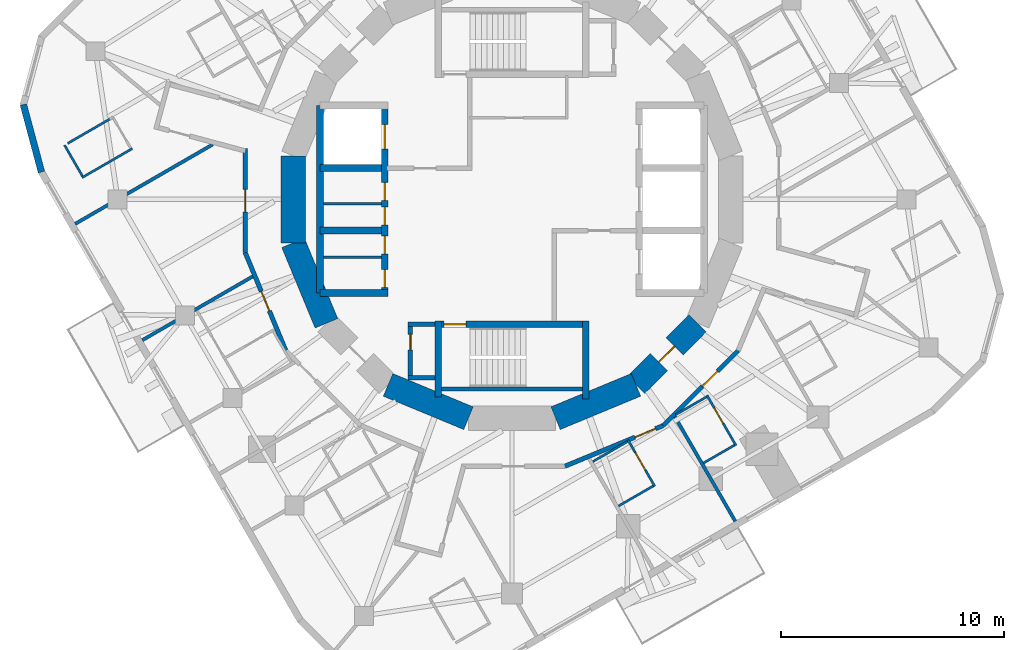
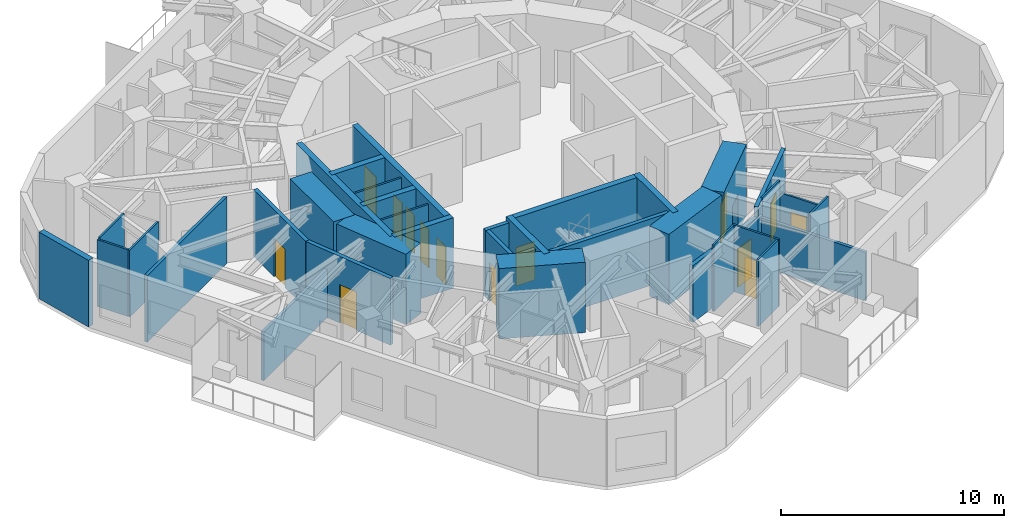
# One storey, part 5 of 11: 36 walls, 14 doors, 14 openings.
"""IFC4 building model written with IfcOpenShell, lengths in metres."""

from ifc_helpers import new_model, si_unit, direction, frame, frame_2d, origin, place, context, subcontext, project, spatial, rectangle, extrude, material, layer, layer_set, type_object, element, fill, save


model = new_model("IFC4")

# Units and contexts
model_context = context("Model", 3, precision=1e-05, world=origin(), true_north=direction((0.0, 1.0)))
body_context = subcontext(model_context, "Body", "Model", "MODEL_VIEW")
ifc_project = project(units=[si_unit("LENGTHUNIT", "METRE"), si_unit("AREAUNIT", "SQUARE_METRE"), si_unit("VOLUMEUNIT", "CUBIC_METRE"), si_unit("PLANEANGLEUNIT", "RADIAN"), si_unit("MASSUNIT", "GRAM", prefix="KILO")], contexts=[model_context])

# Site, building, storey
site_placement = place(None, origin())
site = spatial("IfcSite", under=ifc_project, at=site_placement, CompositionType="ELEMENT")
building_placement = place(site_placement, origin())
building = spatial("IfcBuilding", under=site, at=building_placement, Name="Nakasero Lantern House", CompositionType="ELEMENT")
storey_placement = place(building_placement, frame((0.0, 0.0, 246.199951171875)))
storey = spatial("IfcBuildingStorey", under=building, at=storey_placement, Name="L60", CompositionType="ELEMENT", Elevation=246.199951171875)

# Wall, openings, doors
ifc_material_1 = material(Name="Concrete C50/60", Category="concrete")
ifc_layer_1 = layer(ifc_material_1, 0.300048828125)
ifc_layer_set_1 = layer_set([ifc_layer_1], Name="Core inner wall 300")
wall_type_1 = type_object("IfcWallType", Name="Core inner wall 300", PredefinedType="SHEAR", material=ifc_layer_set_1)
wall_1_placement = place(storey_placement, frame((-5.699951171875, -4.199951171875, 0.0), z_axis=(0.0, 0.0, 1.0), x_axis=(0.0, 1.0, 0.0)))
wall_1 = element("IfcWall", 1, at=wall_1_placement, inside=storey, type_object=wall_type_1, Name="Core inner wall L60 LW", PredefinedType="SHEAR", context=body_context, shape_type="SweptSolid", body=[
    extrude(rectangle(XDim=8.39990234375, YDim=0.300048828125, at=frame_2d((4.199951171875, 0.0))), origin(), (0.0, 0.0, 1.0), 3.85009765625),
])
opening_1_placement = place(wall_1_placement, frame((0.25, 0.0, 0.0)))
opening_1 = element("IfcOpeningElement", 2, at=opening_1_placement, cuts=wall_1, Name="Opening D19", PredefinedType="OPENING", context=body_context, shape_type="SweptSolid", body=[
    extrude(rectangle(XDim=0.800048828125, YDim=2.10009765625, at=frame_2d((0.39990234375, 1.050048828125))), frame((0.0, 0.169921875, 0.0), z_axis=(0.0, -1.0, 0.0), x_axis=(1.0, 0.0, 0.0)), (0.0, 0.0, 1.0), 0.340087890625),
])
opening_2_placement = place(wall_1_placement, frame((1.75, 0.0, 0.0)))
opening_2 = element("IfcOpeningElement", 3, at=opening_2_placement, cuts=wall_1, Name="Opening D15", PredefinedType="OPENING", context=body_context, shape_type="SweptSolid", body=[
    extrude(rectangle(XDim=0.800048828125, YDim=2.10009765625, at=frame_2d((0.39990234375, 1.050048828125))), frame((0.0, 0.169921875, 0.0), z_axis=(0.0, -1.0, 0.0), x_axis=(1.0, 0.0, 0.0)), (0.0, 0.0, 1.0), 0.340087890625),
])
opening_3_placement = place(wall_1_placement, frame((3.050048828125, 0.0, 0.0)))
opening_3 = element("IfcOpeningElement", 4, at=opening_3_placement, cuts=wall_1, Name="Opening D15", PredefinedType="OPENING", context=body_context, shape_type="SweptSolid", body=[
    extrude(rectangle(XDim=0.800048828125, YDim=2.10009765625, at=frame_2d((0.39990234375, 1.050048828125))), frame((0.0, 0.169921875, 0.0), z_axis=(0.0, -1.0, 0.0), x_axis=(1.0, 0.0, 0.0)), (0.0, 0.0, 1.0), 0.340087890625),
])
opening_4_placement = place(wall_1_placement, frame((4.14990234375, 0.0, 0.0)))
opening_4 = element("IfcOpeningElement", 5, at=opening_4_placement, cuts=wall_1, Name="Opening D15", PredefinedType="OPENING", context=body_context, shape_type="SweptSolid", body=[
    extrude(rectangle(XDim=0.800048828125, YDim=2.10009765625, at=frame_2d((0.39990234375, 1.050048828125))), frame((0.0, 0.169921875, 0.0), z_axis=(0.0, -1.0, 0.0), x_axis=(1.0, 0.0, 0.0)), (0.0, 0.0, 1.0), 0.340087890625),
])
opening_5_placement = place(wall_1_placement, frame((6.449951171875, 0.0, 0.0)))
opening_5 = element("IfcOpeningElement", 6, at=opening_5_placement, cuts=wall_1, Name="Opening LD", PredefinedType="OPENING", context=body_context, shape_type="SweptSolid", body=[
    extrude(rectangle(XDim=1.10009765625, YDim=2.10009765625, at=frame_2d((0.550048828125, 1.050048828125))), frame((0.0, 0.169921875, 0.0), z_axis=(0.0, -1.0, 0.0), x_axis=(1.0, 0.0, 0.0)), (0.0, 0.0, 1.0), 0.340087890625),
])
ifc_material_2 = material(Name="Timber C24", Category="wood")
door_type_1 = type_object("IfcDoorType", Name="Cleaner's store door FD30S 800", OperationType="SINGLE_SWING_LEFT", PredefinedType="DOOR", material=ifc_material_2)
door_1_placement = place(opening_2_placement, origin())
door_1 = element("IfcDoor", 7, at=door_1_placement, inside=storey, type_object=door_type_1, Name="Door L60 D-SH-LW1b", OperationType="SINGLE_SWING_LEFT", OverallHeight=2.10009765625, OverallWidth=0.800048828125, PredefinedType="DOOR", context=body_context, shape_type="SweptSolid", body=[
    extrude(rectangle(XDim=0.800048828125, YDim=2.10009765625, at=frame_2d((0.39990234375, 1.050048828125))), frame((0.0, 0.02490234375, 0.0), z_axis=(0.0, -1.0, 0.0), x_axis=(1.0, 0.0, 0.0)), (0.0, 0.0, 1.0), 0.050048828125),
])
fill(opening_2, door_1)
door_2_placement = place(opening_3_placement, origin())
door_2 = element("IfcDoor", 8, at=door_2_placement, inside=storey, type_object=door_type_1, Name="Door L60 D-SH-LW2a", OperationType="SINGLE_SWING_LEFT", OverallHeight=2.10009765625, OverallWidth=0.800048828125, PredefinedType="DOOR", context=body_context, shape_type="SweptSolid", body=[
    extrude(rectangle(XDim=0.800048828125, YDim=2.10009765625, at=frame_2d((0.39990234375, 1.050048828125))), frame((0.0, 0.02490234375, 0.0), z_axis=(0.0, -1.0, 0.0), x_axis=(1.0, 0.0, 0.0)), (0.0, 0.0, 1.0), 0.050048828125),
])
fill(opening_3, door_2)
door_3_placement = place(opening_4_placement, origin())
door_3 = element("IfcDoor", 9, at=door_3_placement, inside=storey, type_object=door_type_1, Name="Door L60 D-SH-LW2b", OperationType="SINGLE_SWING_RIGHT", OverallHeight=2.10009765625, OverallWidth=0.800048828125, PredefinedType="DOOR", context=body_context, shape_type="SweptSolid", body=[
    extrude(rectangle(XDim=0.800048828125, YDim=2.10009765625, at=frame_2d((0.39990234375, 1.050048828125))), frame((0.0, 0.02490234375, 0.0), z_axis=(0.0, -1.0, 0.0), x_axis=(1.0, 0.0, 0.0)), (0.0, 0.0, 1.0), 0.050048828125),
])
fill(opening_4, door_3)
ifc_material_3 = material(Name="Steel S355", Category="steel")
door_type_2 = type_object("IfcDoorType", Name="Lift landing door E120 1100", OperationType="SLIDING_TO_LEFT", PredefinedType="DOOR", material=ifc_material_3)
door_4_placement = place(opening_5_placement, origin())
door_4 = element("IfcDoor", 10, at=door_4_placement, inside=storey, type_object=door_type_2, Name="Lift landing door LW3", OperationType="SLIDING_TO_LEFT", OverallHeight=2.10009765625, OverallWidth=1.10009765625, PredefinedType="DOOR", context=body_context, shape_type="SweptSolid", body=[
    extrude(rectangle(XDim=1.10009765625, YDim=2.10009765625, at=frame_2d((0.550048828125, 1.050048828125))), frame((0.0, 0.02490234375, 0.0), z_axis=(0.0, -1.0, 0.0), x_axis=(1.0, 0.0, 0.0)), (0.0, 0.0, 1.0), 0.050048828125),
])
fill(opening_5, door_4)
ifc_material_4 = material(Name="Steel S355", Category="steel")
door_type_3 = type_object("IfcDoorType", Name="Plant room door FD60 800", OperationType="SINGLE_SWING_LEFT", PredefinedType="DOOR", material=ifc_material_4)
door_5_placement = place(opening_1_placement, origin())
door_5 = element("IfcDoor", 11, at=door_5_placement, inside=storey, type_object=door_type_3, Name="Door L60 D-SH-LW1a", OperationType="SINGLE_SWING_LEFT", OverallHeight=2.10009765625, OverallWidth=0.800048828125, PredefinedType="DOOR", context=body_context, shape_type="SweptSolid", body=[
    extrude(rectangle(XDim=0.800048828125, YDim=2.10009765625, at=frame_2d((0.39990234375, 1.050048828125))), frame((0.0, 0.02490234375, 0.0), z_axis=(0.0, -1.0, 0.0), x_axis=(1.0, 0.0, 0.0)), (0.0, 0.0, 1.0), 0.050048828125),
])
fill(opening_1, door_5)

# Walls
wall_2_placement = place(storey_placement, frame((-8.60009765625, -4.199951171875, 0.0), z_axis=(0.0, 0.0, 1.0), x_axis=(1.0, 0.0, 0.0)))
element("IfcWall", 12, at=wall_2_placement, inside=storey, type_object=wall_type_1, Name="Core inner wall L60 LWS", PredefinedType="SHEAR", context=body_context, shape_type="SweptSolid", body=[
    extrude(rectangle(XDim=3.050048828125, YDim=0.300048828125, at=frame_2d((1.52490234375, 0.0))), origin(), (0.0, 0.0, 1.0), 3.85009765625),
])
wall_3_placement = place(storey_placement, frame((-8.60009765625, -4.199951171875, 0.0), z_axis=(0.0, 0.0, 1.0), x_axis=(0.0, 1.0, 0.0)))
element("IfcWall", 13, at=wall_3_placement, inside=storey, type_object=wall_type_1, Name="Core inner wall L60 LWB", PredefinedType="SHEAR", context=body_context, shape_type="SweptSolid", body=[
    extrude(rectangle(XDim=8.39990234375, YDim=0.300048828125, at=frame_2d((4.199951171875, 0.0))), origin(), (0.0, 0.0, 1.0), 3.85009765625),
])
for number, where, z_axis, x_axis, name in (
    (14, (-8.60009765625, -1.39990234375, 0.0), (0.0, 0.0, 1.0), (1.0, 0.0, 0.0), "Core inner wall L60 LW1"),
    (15, (-8.60009765625, 1.39990234375, 0.0), (0.0, 0.0, 1.0), (1.0, 0.0, 0.0), "Core inner wall L60 LW2"),
):
    element("IfcWall", number, at=place(storey_placement, frame(where, z_axis=z_axis, x_axis=x_axis)), inside=storey, type_object=wall_type_1, Name=name, PredefinedType="SHEAR", context=body_context, shape_type="SweptSolid", body=[
        extrude(rectangle(XDim=2.75, YDim=0.300048828125, at=frame_2d((1.375, 0.0))), origin(), (0.0, 0.0, 1.0), 3.85009765625),
    ])

# Wall, opening, door
wall_4_placement = place(storey_placement, frame((-3.449951171875, -5.60009765625, 0.0), z_axis=(0.0, 0.0, 1.0), x_axis=(1.0, 0.0, 0.0)))
wall_4 = element("IfcWall", 16, at=wall_4_placement, inside=storey, type_object=wall_type_1, Name="Core inner wall L60 SS", PredefinedType="SHEAR", context=body_context, shape_type="SweptSolid", body=[
    extrude(rectangle(XDim=6.89990234375, YDim=0.300048828125, at=frame_2d((3.449951171875, 0.0))), origin(), (0.0, 0.0, 1.0), 3.85009765625),
])
opening_6_placement = place(wall_4_placement, frame((0.39990234375, 0.0, 0.0)))
opening_6 = element("IfcOpeningElement", 17, at=opening_6_placement, cuts=wall_4, Name="Opening D05", PredefinedType="OPENING", context=body_context, shape_type="SweptSolid", body=[
    extrude(rectangle(XDim=1.0, YDim=2.10009765625, at=frame_2d((0.5, 1.050048828125))), frame((0.0, 0.169921875, 0.0), z_axis=(0.0, -1.0, 0.0), x_axis=(1.0, 0.0, 0.0)), (0.0, 0.0, 1.0), 0.340087890625),
])
ifc_material_5 = material(Name="Timber C24", Category="wood")
door_type_4 = type_object("IfcDoorType", Name="Core door FD60S 1000", OperationType="SINGLE_SWING_LEFT", PredefinedType="DOOR", material=ifc_material_5)
door_6_placement = place(opening_6_placement, origin())
door_6 = element("IfcDoor", 18, at=door_6_placement, inside=storey, type_object=door_type_4, Name="Door L60 D-ST2", OperationType="SINGLE_SWING_LEFT", OverallHeight=2.10009765625, OverallWidth=1.0, PredefinedType="DOOR", context=body_context, shape_type="SweptSolid", body=[
    extrude(rectangle(XDim=1.0, YDim=2.10009765625, at=frame_2d((0.5, 1.050048828125))), frame((0.0, 0.02490234375, 0.0), z_axis=(0.0, -1.0, 0.0), x_axis=(1.0, 0.0, 0.0)), (0.0, 0.0, 1.0), 0.050048828125),
])
fill(opening_6, door_6)

# Walls
wall_5_placement = place(storey_placement, frame((-3.300048828125, -5.449951171875, 0.0), z_axis=(0.0, 0.0, 1.0), x_axis=(0.0, -1.0, 0.0)))
element("IfcWall", 19, at=wall_5_placement, inside=storey, type_object=wall_type_1, Name="Core inner wall L60 SSW", PredefinedType="SHEAR", context=body_context, shape_type="SweptSolid", body=[
    extrude(rectangle(XDim=3.400146484375, YDim=0.300048828125, at=frame_2d((1.7001953125, 0.0))), origin(), (0.0, 0.0, 1.0), 3.85009765625),
])
wall_6_placement = place(storey_placement, frame((3.300048828125, -5.449951171875, 0.0), z_axis=(0.0, 0.0, 1.0), x_axis=(0.0, -1.0, 0.0)))
element("IfcWall", 20, at=wall_6_placement, inside=storey, type_object=wall_type_1, Name="Core inner wall L60 SSE", PredefinedType="SHEAR", context=body_context, shape_type="SweptSolid", body=[
    extrude(rectangle(XDim=3.5, YDim=0.300048828125, at=frame_2d((1.75, 0.0))), origin(), (0.0, 0.0, 1.0), 3.85009765625),
])
ifc_material_6 = material(Name="Blockwork", Category="masonry")
ifc_layer_2 = layer(ifc_material_6, 0.10009765625)
ifc_layer_set_2 = layer_set([ifc_layer_2], Name="Core room wall 100")
wall_type_2 = type_object("IfcWallType", Name="Core room wall 100", PredefinedType="PARTITIONING", material=ifc_layer_set_2)
for number, where, z_axis, x_axis, name in (
    (21, (-8.449951171875, -2.60009765625, 0.0), (0.0, 0.0, 1.0), (1.0, 0.0, 0.0), "Core room wall L60 CR-SH-LW1b"),
    (22, (-8.449951171875, -0.199951171875, 0.0), (0.0, 0.0, 1.0), (1.0, 0.0, 0.0), "Core room wall L60 CR-SH-LW2b"),
):
    element("IfcWall", number, at=place(storey_placement, frame(where, z_axis=z_axis, x_axis=x_axis)), inside=storey, type_object=wall_type_2, Name=name, PredefinedType="PARTITIONING", context=body_context, shape_type="SweptSolid", body=[
        extrude(rectangle(XDim=2.599853515625, YDim=0.10009765625, at=frame_2d((1.2998046875, 0.0))), origin(), (0.0, 0.0, 1.0), 3.650146484375),
    ])
ifc_material_7 = material(Name="Concrete C50/60", Category="concrete")
ifc_layer_3 = layer(ifc_material_7, 1.10009765625)
ifc_layer_set_3 = layer_set([ifc_layer_3], Name="Core wall 1100")
wall_type_3 = type_object("IfcWallType", Name="Core wall 1100", PredefinedType="SHEAR", material=ifc_layer_set_3)
for number, where, z_axis, x_axis, name in (
    (23, (-9.807861328125, 1.950927734375, 0.0), (0.0, 0.0, 1.0), (0.0, -1.0, 0.0), "Core wall L60 facet 8"),
    (24, (-9.807861328125, -1.950927734375, 0.0), (0.0, 0.0, 1.0), (0.382690736062, -0.923876507187, 0.0), "Core wall L60 facet 9"),
    (25, (-5.5556640625, -8.314697265625, 0.0), (0.0, 0.0, 1.0), (0.923876507187, -0.382690736062, 0.0), "Core wall L60 facet 11"),
    (26, (1.950927734375, -9.807861328125, 0.0), (0.0, 0.0, 1.0), (0.923876507187, 0.382690736062, 0.0), "Core wall L60 facet 13"),
):
    element("IfcWall", number, at=place(storey_placement, frame(where, z_axis=z_axis, x_axis=x_axis)), inside=storey, type_object=wall_type_3, Name=name, PredefinedType="SHEAR", context=body_context, shape_type="SweptSolid", body=[
        extrude(rectangle(XDim=3.90185546875, YDim=1.10009765625, at=frame_2d((1.950927734375, 0.0))), origin(), (0.0, 0.0, 1.0), 3.85009765625),
    ])

# Wall, opening, door
wall_7_placement = place(storey_placement, frame((5.5556640625, -8.314697265625, 0.0), z_axis=(0.0, 0.0, 1.0), x_axis=(0.707106781187, 0.707106781187, 0.0)))
wall_7 = element("IfcWall", 27, at=wall_7_placement, inside=storey, type_object=wall_type_3, Name="Core wall L60 facet 14", PredefinedType="SHEAR", context=body_context, shape_type="SweptSolid", body=[
    extrude(rectangle(XDim=3.90185546875, YDim=1.10009765625, at=frame_2d((1.950927734375, 0.0))), origin(), (0.0, 0.0, 1.0), 3.85009765625),
])
opening_7_placement = place(wall_7_placement, frame((1.450927734375, 0.0, 0.0)))
opening_7 = element("IfcOpeningElement", 28, at=opening_7_placement, cuts=wall_7, Name="Opening D05", PredefinedType="OPENING", context=body_context, shape_type="SweptSolid", body=[
    extrude(rectangle(XDim=1.0, YDim=2.10009765625, at=frame_2d((0.5, 1.050048828125))), frame((0.0, 0.570068359375, 0.0), z_axis=(0.0, -1.0, 0.0), x_axis=(1.0, 0.0, 0.0)), (0.0, 0.0, 1.0), 1.14013671875),
])
door_7_placement = place(opening_7_placement, origin())
door_7 = element("IfcDoor", 29, at=door_7_placement, inside=storey, type_object=door_type_4, Name="Door L60 D-CORE14", OperationType="SINGLE_SWING_LEFT", OverallHeight=2.10009765625, OverallWidth=1.0, PredefinedType="DOOR", context=body_context, shape_type="SweptSolid", body=[
    extrude(rectangle(XDim=1.0, YDim=2.10009765625, at=frame_2d((0.5, 1.050048828125))), frame((0.0, 0.02490234375, 0.0), z_axis=(0.0, -1.0, 0.0), x_axis=(1.0, 0.0, 0.0)), (0.0, 0.0, 1.0), 0.050048828125),
])
fill(opening_7, door_7)

ifc_material_8 = material(Name="Blockwork", Category="masonry")
ifc_layer_4 = layer(ifc_material_8, 0.199951171875)
ifc_layer_set_4 = layer_set([ifc_layer_4], Name="Corridor wall 200")
wall_type_4 = type_object("IfcWallType", Name="Corridor wall 200", PredefinedType="PARTITIONING", material=ifc_layer_set_4)
wall_8_placement = place(storey_placement, frame((10.137451171875, -6.773681640625, 0.0), z_axis=(0.0, 0.0, 1.0), x_axis=(-0.707106781187, -0.707106781187, 0.0)))
wall_8 = element("IfcWall", 30, at=wall_8_placement, inside=storey, type_object=wall_type_4, Name="Corridor wall L60 RC02a", PredefinedType="PARTITIONING", context=body_context, shape_type="SweptSolid", body=[
    extrude(rectangle(XDim=4.757080078125, YDim=0.199951171875, at=frame_2d((2.37841796875, 0.0))), origin(), (0.0, 0.0, 1.0), 3.650146484375),
])
opening_8_placement = place(wall_8_placement, frame((1.320068359375, 0.0, 0.0)))
opening_8 = element("IfcOpeningElement", 31, at=opening_8_placement, cuts=wall_8, Name="Opening D01", PredefinedType="OPENING", context=body_context, shape_type="SweptSolid", body=[
    extrude(rectangle(XDim=0.949951171875, YDim=2.10009765625, at=frame_2d((0.47509765625, 1.050048828125))), frame((0.0, 0.119873046875, 0.0), z_axis=(0.0, -1.0, 0.0), x_axis=(1.0, 0.0, 0.0)), (0.0, 0.0, 1.0), 0.239990234375),
])
ifc_material_9 = material(Name="Timber C24", Category="wood")
door_type_5 = type_object("IfcDoorType", Name="Bedroom door FD30S 950", OperationType="SINGLE_SWING_LEFT", PredefinedType="DOOR", material=ifc_material_9)
door_8_placement = place(opening_8_placement, origin())
door_8 = element("IfcDoor", 32, at=door_8_placement, inside=storey, type_object=door_type_5, Name="Door L60 D3-04", OperationType="SINGLE_SWING_LEFT", OverallHeight=2.10009765625, OverallWidth=0.949951171875, PredefinedType="DOOR", context=body_context, shape_type="SweptSolid", body=[
    extrude(rectangle(XDim=0.949951171875, YDim=2.10009765625, at=frame_2d((0.47509765625, 1.050048828125))), frame((0.0, 0.02490234375, 0.0), z_axis=(0.0, -1.0, 0.0), x_axis=(1.0, 0.0, 0.0)), (0.0, 0.0, 1.0), 0.050048828125),
])
fill(opening_8, door_8)

wall_9_placement = place(storey_placement, frame((6.773681640625, -10.137451171875, 0.0), z_axis=(0.0, 0.0, 1.0), x_axis=(-0.923891735412, -0.382653970627, 0.0)))
wall_9 = element("IfcWall", 33, at=wall_9_placement, inside=storey, type_object=wall_type_4, Name="Corridor wall L60 RC03a", PredefinedType="PARTITIONING", context=body_context, shape_type="SweptSolid", body=[
    extrude(rectangle(XDim=4.757080078125, YDim=0.199951171875, at=frame_2d((2.37841796875, 0.0))), origin(), (0.0, 0.0, 1.0), 3.11328125),
])
opening_9_placement = place(wall_9_placement, frame((0.3701171875, 0.0, 0.0)))
opening_9 = element("IfcOpeningElement", 34, at=opening_9_placement, cuts=wall_9, Name="Opening D07", PredefinedType="OPENING", context=body_context, shape_type="SweptSolid", body=[
    extrude(rectangle(XDim=1.0, YDim=2.10009765625, at=frame_2d((0.5, 1.050048828125))), frame((0.0, 0.119873046875, 0.0), z_axis=(0.0, -1.0, 0.0), x_axis=(1.0, 0.0, 0.0)), (0.0, 0.0, 1.0), 0.239990234375),
])
ifc_material_10 = material(Name="Timber C24", Category="wood")
door_type_6 = type_object("IfcDoorType", Name="Room door FD30S 1000", OperationType="SINGLE_SWING_LEFT", PredefinedType="DOOR", material=ifc_material_10)
door_9_placement = place(opening_9_placement, origin())
door_9 = element("IfcDoor", 35, at=door_9_placement, inside=storey, type_object=door_type_6, Name="Door L60 D3-03", OperationType="SINGLE_SWING_LEFT", OverallHeight=2.10009765625, OverallWidth=1.0, PredefinedType="DOOR", context=body_context, shape_type="SweptSolid", body=[
    extrude(rectangle(XDim=1.0, YDim=2.10009765625, at=frame_2d((0.5, 1.050048828125))), frame((0.0, 0.02490234375, 0.0), z_axis=(0.0, -1.0, 0.0), x_axis=(1.0, 0.0, 0.0)), (0.0, 0.0, 1.0), 0.050048828125),
])
fill(opening_9, door_9)

wall_10_placement = place(storey_placement, frame((-10.137451171875, -6.773681640625, 0.0), z_axis=(0.0, 0.0, 1.0), x_axis=(-0.382653970627, 0.923891735412, 0.0)))
wall_10 = element("IfcWall", 36, at=wall_10_placement, inside=storey, type_object=wall_type_4, Name="Corridor wall L60 RC07a", PredefinedType="PARTITIONING", context=body_context, shape_type="SweptSolid", body=[
    extrude(rectangle(XDim=4.757080078125, YDim=0.199951171875, at=frame_2d((2.37841796875, 0.0))), origin(), (0.0, 0.0, 1.0), 3.650146484375),
])
opening_10_placement = place(wall_10_placement, frame((1.919921875, 0.0, 0.0)))
opening_10 = element("IfcOpeningElement", 37, at=opening_10_placement, cuts=wall_10, Name="Opening D01", PredefinedType="OPENING", context=body_context, shape_type="SweptSolid", body=[
    extrude(rectangle(XDim=0.949951171875, YDim=2.10009765625, at=frame_2d((0.47509765625, 1.050048828125))), frame((0.0, 0.119873046875, 0.0), z_axis=(0.0, -1.0, 0.0), x_axis=(1.0, 0.0, 0.0)), (0.0, 0.0, 1.0), 0.239990234375),
])
door_10_placement = place(opening_10_placement, origin())
door_10 = element("IfcDoor", 38, at=door_10_placement, inside=storey, type_object=door_type_5, Name="Door L60 D2-03", OperationType="SINGLE_SWING_RIGHT", OverallHeight=2.10009765625, OverallWidth=0.949951171875, PredefinedType="DOOR", context=body_context, shape_type="SweptSolid", body=[
    extrude(rectangle(XDim=0.949951171875, YDim=2.10009765625, at=frame_2d((0.47509765625, 1.050048828125))), frame((0.0, 0.02490234375, 0.0), z_axis=(0.0, -1.0, 0.0), x_axis=(1.0, 0.0, 0.0)), (0.0, 0.0, 1.0), 0.050048828125),
])
fill(opening_10, door_10)

wall_11_placement = place(storey_placement, frame((-11.957763671875, -2.378662109375, 0.0), z_axis=(0.0, 0.0, 1.0), x_axis=(0.0, 1.0, 0.0)))
wall_11 = element("IfcWall", 39, at=wall_11_placement, inside=storey, type_object=wall_type_4, Name="Corridor wall L60 RC08a", PredefinedType="PARTITIONING", context=body_context, shape_type="SweptSolid", body=[
    extrude(rectangle(XDim=4.651123046875, YDim=0.199951171875, at=frame_2d((2.32568359375, 0.0))), origin(), (0.0, 0.0, 1.0), 3.650146484375),
])
opening_11_placement = place(wall_11_placement, frame((1.820068359375, 0.0, 0.0)))
opening_11 = element("IfcOpeningElement", 40, at=opening_11_placement, cuts=wall_11, Name="Opening D03", PredefinedType="OPENING", context=body_context, shape_type="SweptSolid", body=[
    extrude(rectangle(XDim=1.0, YDim=2.10009765625, at=frame_2d((0.5, 1.050048828125))), frame((0.0, 0.119873046875, 0.0), z_axis=(0.0, -1.0, 0.0), x_axis=(1.0, 0.0, 0.0)), (0.0, 0.0, 1.0), 0.239990234375),
])
ifc_material_11 = material(Name="Timber C24", Category="wood")
door_type_7 = type_object("IfcDoorType", Name="Lounge door FD30S 1000", OperationType="SINGLE_SWING_LEFT", PredefinedType="DOOR", material=ifc_material_11)
door_11_placement = place(opening_11_placement, origin())
door_11 = element("IfcDoor", 41, at=door_11_placement, inside=storey, type_object=door_type_7, Name="Door L60 DK2", OperationType="SINGLE_SWING_LEFT", OverallHeight=2.10009765625, OverallWidth=1.0, PredefinedType="DOOR", context=body_context, shape_type="SweptSolid", body=[
    extrude(rectangle(XDim=1.0, YDim=2.10009765625, at=frame_2d((0.5, 1.050048828125))), frame((0.0, 0.02490234375, 0.0), z_axis=(0.0, -1.0, 0.0), x_axis=(1.0, 0.0, 0.0)), (0.0, 0.0, 1.0), 0.050048828125),
])
fill(opening_11, door_11)

# Walls
ifc_material_12 = material(Name="Blockwork", Category="masonry")
ifc_layer_5 = layer(ifc_material_12, 0.10009765625)
ifc_layer_set_5 = layer_set([ifc_layer_5], Name="En-suite wall 100")
wall_type_5 = type_object("IfcWallType", Name="En-suite wall 100", PredefinedType="PARTITIONING", material=ifc_layer_set_5)
wall_12_placement = place(storey_placement, frame((-17.015380859375, 2.271728515625, 0.0), z_axis=(0.0, 0.0, 1.0), x_axis=(-0.866021400173, -0.500006934395, 0.0)))
element("IfcWall", 42, at=wall_12_placement, inside=storey, type_object=wall_type_5, Name="En-suite wall L60 ES2-00", PredefinedType="PARTITIONING", context=body_context, shape_type="SweptSolid", body=[
    extrude(rectangle(XDim=2.60009765625, YDim=0.10009765625, at=frame_2d((1.300048828125, 0.0))), origin(), (0.0, 0.0, 1.0), 3.650146484375),
])
wall_13_placement = place(storey_placement, frame((-20.048828125, 2.425537109375, 0.0), z_axis=(0.0, 0.0, 1.0), x_axis=(0.500061482766, -0.865989903783, 0.0)))
element("IfcWall", 43, at=wall_13_placement, inside=storey, type_object=wall_type_5, Name="En-suite wall L60 EE2-00", PredefinedType="PARTITIONING", context=body_context, shape_type="SweptSolid", body=[
    extrude(rectangle(XDim=1.599853515625, YDim=0.10009765625, at=frame_2d((0.7998046875, 0.0))), origin(), (0.0, 0.0, 1.0), 3.650146484375),
])

# Wall, opening, door
wall_14_placement = place(storey_placement, frame((5.19775390625, -10.783935546875, 0.0), z_axis=(0.0, 0.0, 1.0), x_axis=(0.500077600433, -0.865980596518, 0.0)))
wall_14 = element("IfcWall", 44, at=wall_14_placement, inside=storey, type_object=wall_type_5, Name="En-suite wall L60 ES3-03", PredefinedType="PARTITIONING", context=body_context, shape_type="SweptSolid", body=[
    extrude(rectangle(XDim=2.39990234375, YDim=0.10009765625, at=frame_2d((1.199951171875, 0.0))), origin(), (0.0, 0.0, 1.0), 3.650146484375),
])
opening_12_placement = place(wall_14_placement, frame((0.64990234375, 0.0, 0.0)))
opening_12 = element("IfcOpeningElement", 45, at=opening_12_placement, cuts=wall_14, Name="Opening D16", PredefinedType="OPENING", context=body_context, shape_type="SweptSolid", body=[
    extrude(rectangle(XDim=0.89990234375, YDim=2.10009765625, at=frame_2d((0.449951171875, 1.050048828125))), frame((0.0, 0.070068359375, 0.0), z_axis=(0.0, -1.0, 0.0), x_axis=(1.0, 0.0, 0.0)), (0.0, 0.0, 1.0), 0.14013671875),
])
ifc_material_13 = material(Name="Timber C24", Category="wood")
door_type_8 = type_object("IfcDoorType", Name="Accessible WC door 900", OperationType="SINGLE_SWING_RIGHT", PredefinedType="DOOR", material=ifc_material_13)
door_12_placement = place(opening_12_placement, origin())
door_12 = element("IfcDoor", 46, at=door_12_placement, inside=storey, type_object=door_type_8, Name="Door L60 DE3-03", OperationType="SINGLE_SWING_LEFT", OverallHeight=2.10009765625, OverallWidth=0.89990234375, PredefinedType="DOOR", context=body_context, shape_type="SweptSolid", body=[
    extrude(rectangle(XDim=0.89990234375, YDim=2.10009765625, at=frame_2d((0.449951171875, 1.050048828125))), frame((0.0, 0.02490234375, 0.0), z_axis=(0.0, -1.0, 0.0), x_axis=(1.0, 0.0, 0.0)), (0.0, 0.0, 1.0), 0.050048828125),
])
fill(opening_12, door_12)

# Walls
for number, where, z_axis, x_axis, name in (
    (47, (4.770751953125, -13.744140625, 0.0), (0.0, 0.0, 1.0), (0.865989075817, 0.500062916607, 0.0), "En-suite wall L60 EE3-03"),
    (48, (3.62060546875, -11.752197265625, 0.0), (0.0, 0.0, 1.0), (0.866047807691, 0.499961193289, 0.0), "En-suite wall L60 EI3-03"),
):
    element("IfcWall", number, at=place(storey_placement, frame(where, z_axis=z_axis, x_axis=x_axis)), inside=storey, type_object=wall_type_5, Name=name, PredefinedType="PARTITIONING", context=body_context, shape_type="SweptSolid", body=[
        extrude(rectangle(XDim=1.800048828125, YDim=0.10009765625, at=frame_2d((0.89990234375, 0.0))), origin(), (0.0, 0.0, 1.0), 3.650146484375),
    ])

# Wall, opening, door
wall_15_placement = place(storey_placement, frame((8.737548828125, -8.7822265625, 0.0), z_axis=(0.0, 0.0, 1.0), x_axis=(0.500006934395, -0.866021400173, 0.0)))
wall_15 = element("IfcWall", 49, at=wall_15_placement, inside=storey, type_object=wall_type_5, Name="En-suite wall L60 ES3-04", PredefinedType="PARTITIONING", context=body_context, shape_type="SweptSolid", body=[
    extrude(rectangle(XDim=2.60009765625, YDim=0.10009765625, at=frame_2d((1.300048828125, 0.0))), origin(), (0.0, 0.0, 1.0), 2.966552734375),
])
opening_13_placement = place(wall_15_placement, frame((0.64990234375, 0.0, 0.0)))
opening_13 = element("IfcOpeningElement", 50, at=opening_13_placement, cuts=wall_15, Name="Opening D02", PredefinedType="OPENING", context=body_context, shape_type="SweptSolid", body=[
    extrude(rectangle(XDim=0.800048828125, YDim=2.10009765625, at=frame_2d((0.39990234375, 1.050048828125))), frame((0.0, 0.070068359375, 0.0), z_axis=(0.0, -1.0, 0.0), x_axis=(1.0, 0.0, 0.0)), (0.0, 0.0, 1.0), 0.14013671875),
])
ifc_material_14 = material(Name="Timber C24", Category="wood")
door_type_9 = type_object("IfcDoorType", Name="En-suite door 800", OperationType="SINGLE_SWING_RIGHT", PredefinedType="DOOR", material=ifc_material_14)
door_13_placement = place(opening_13_placement, origin())
door_13 = element("IfcDoor", 51, at=door_13_placement, inside=storey, type_object=door_type_9, Name="Door L60 DE3-04", OperationType="SINGLE_SWING_LEFT", OverallHeight=2.10009765625, OverallWidth=0.800048828125, PredefinedType="DOOR", context=body_context, shape_type="SweptSolid", body=[
    extrude(rectangle(XDim=0.800048828125, YDim=2.10009765625, at=frame_2d((0.39990234375, 1.050048828125))), frame((0.0, 0.02490234375, 0.0), z_axis=(0.0, -1.0, 0.0), x_axis=(1.0, 0.0, 0.0)), (0.0, 0.0, 1.0), 0.050048828125),
])
fill(opening_13, door_13)

# Walls
for number, where, z_axis, x_axis, name in (
    (52, (8.583740234375, -11.8154296875, 0.0), (0.0, 0.0, 1.0), (0.866055983265, 0.499947031044, 0.0), "En-suite wall L60 EE3-04"),
    (53, (7.333740234375, -9.650390625, 0.0), (0.0, 0.0, 1.0), (0.865989903783, 0.500061482766, 0.0), "En-suite wall L60 EI3-04"),
):
    element("IfcWall", number, at=place(storey_placement, frame(where, z_axis=z_axis, x_axis=x_axis)), inside=storey, type_object=wall_type_5, Name=name, PredefinedType="PARTITIONING", context=body_context, shape_type="SweptSolid", body=[
        extrude(rectangle(XDim=1.599853515625, YDim=0.10009765625, at=frame_2d((0.7998046875, 0.0))), origin(), (0.0, 0.0, 1.0), 3.650146484375),
    ])
wall_16_placement = place(storey_placement, frame((-18.022216796875, 3.595458984375, 0.0), z_axis=(0.0, 0.0, 1.0), x_axis=(-0.866056906104, -0.499945432413, 0.0)))
element("IfcWall", 54, at=wall_16_placement, inside=storey, type_object=wall_type_5, Name="En-suite wall L60 EX003", PredefinedType="PARTITIONING", context=body_context, shape_type="SweptSolid", body=[
    extrude(rectangle(XDim=2.179931640625, YDim=0.10009765625, at=frame_2d((1.08984375, 0.0))), origin(), (0.0, 0.0, 1.0), 3.650146484375),
])
ifc_material_15 = material(Name="Aluminium rainscreen on blockwork", Category="masonry")
ifc_layer_6 = layer(ifc_material_15, 0.300048828125)
ifc_layer_set_6 = layer_set([ifc_layer_6], Name="Facade wall 300")
wall_type_6 = type_object("IfcWallType", Name="Facade wall 300", PredefinedType="SOLIDWALL", material=ifc_layer_set_6)
wall_17_placement = place(storey_placement, frame((-21.89599609375, 4.245849609375, 0.0), z_axis=(0.0, 0.0, 1.0), x_axis=(0.258827010283, -0.96592369199, 0.0)))
element("IfcWall", 55, at=wall_17_placement, inside=storey, type_object=wall_type_6, Name="Facade wall L60 FW1C3", PredefinedType="SOLIDWALL", context=body_context, shape_type="SweptSolid", body=[
    extrude(rectangle(XDim=3.131591796875, YDim=0.300048828125, at=frame_2d((1.56591796875, 0.0))), origin(), (0.0, 0.0, 1.0), 3.650146484375),
])

# Wall, opening, door
ifc_material_16 = material(Name="Blockwork", Category="masonry")
ifc_layer_7 = layer(ifc_material_16, 0.199951171875)
ifc_layer_set_7 = layer_set([ifc_layer_7], Name="Fire lobby wall 200")
wall_type_7 = type_object("IfcWallType", Name="Fire lobby wall 200", PredefinedType="PARTITIONING", material=ifc_layer_set_7)
wall_18_placement = place(storey_placement, frame((-4.550048828125, -5.60009765625, 0.0), z_axis=(0.0, 0.0, 1.0), x_axis=(0.0, -1.0, 0.0)))
wall_18 = element("IfcWall", 56, at=wall_18_placement, inside=storey, type_object=wall_type_7, Name="Fire lobby wall L60 W-RS2W", PredefinedType="PARTITIONING", context=body_context, shape_type="SweptSolid", body=[
    extrude(rectangle(XDim=2.39990234375, YDim=0.199951171875, at=frame_2d((1.199951171875, 0.0))), origin(), (0.0, 0.0, 1.0), 3.650146484375),
])
opening_14_placement = place(wall_18_placement, frame((0.449951171875, 0.0, 0.0)))
opening_14 = element("IfcOpeningElement", 57, at=opening_14_placement, cuts=wall_18, Name="Opening D06", PredefinedType="OPENING", context=body_context, shape_type="SweptSolid", body=[
    extrude(rectangle(XDim=0.699951171875, YDim=2.10009765625, at=frame_2d((0.35009765625, 1.050048828125))), frame((0.0, 0.119873046875, 0.0), z_axis=(0.0, -1.0, 0.0), x_axis=(1.0, 0.0, 0.0)), (0.0, 0.0, 1.0), 0.239990234375),
])
ifc_material_17 = material(Name="Steel S355", Category="steel")
door_type_10 = type_object("IfcDoorType", Name="Riser door FD60 700", OperationType="SINGLE_SWING_LEFT", PredefinedType="DOOR", material=ifc_material_17)
door_14_placement = place(opening_14_placement, origin())
door_14 = element("IfcDoor", 58, at=door_14_placement, inside=storey, type_object=door_type_10, Name="Door L60 D-RS2", OperationType="SINGLE_SWING_LEFT", OverallHeight=2.10009765625, OverallWidth=0.699951171875, PredefinedType="DOOR", context=body_context, shape_type="SweptSolid", body=[
    extrude(rectangle(XDim=0.699951171875, YDim=2.10009765625, at=frame_2d((0.35009765625, 1.050048828125))), frame((0.0, 0.02490234375, 0.0), z_axis=(0.0, -1.0, 0.0), x_axis=(1.0, 0.0, 0.0)), (0.0, 0.0, 1.0), 0.050048828125),
])
fill(opening_14, door_14)

# Walls
for number, where, z_axis, x_axis, name in (
    (59, (-3.449951171875, -8.0, 0.0), (0.0, 0.0, 1.0), (-1.0, 0.0, 0.0), "Fire lobby wall L60 W-RS2S"),
    (60, (-3.449951171875, -5.60009765625, 0.0), (0.0, 0.0, 1.0), (-1.0, 0.0, 0.0), "Fire lobby wall L60 W-RS2N"),
):
    element("IfcWall", number, at=place(storey_placement, frame(where, z_axis=z_axis, x_axis=x_axis)), inside=storey, type_object=wall_type_7, Name=name, PredefinedType="PARTITIONING", context=body_context, shape_type="SweptSolid", body=[
        extrude(rectangle(XDim=1.199951171875, YDim=0.199951171875, at=frame_2d((0.60009765625, 0.0))), origin(), (0.0, 0.0, 1.0), 3.650146484375),
    ])
wall_19_placement = place(storey_placement, frame((-3.300048828125, -8.5, 0.0), z_axis=(0.0, 0.0, 1.0), x_axis=(1.0, 0.0, 0.0)))
element("IfcWall", 61, at=wall_19_placement, inside=storey, type_object=wall_type_7, Name="Fire lobby wall L60 W-STS", PredefinedType="PARTITIONING", context=body_context, shape_type="SweptSolid", body=[
    extrude(rectangle(XDim=6.60009765625, YDim=0.199951171875, at=frame_2d((3.300048828125, 0.0))), origin(), (0.0, 0.0, 1.0), 3.650146484375),
])
ifc_material_18 = material(Name="Blockwork", Category="masonry")
ifc_layer_8 = layer(ifc_material_18, 0.14990234375)
ifc_layer_set_8 = layer_set([ifc_layer_8], Name="Party wall 150")
wall_type_8 = type_object("IfcWallType", Name="Party wall 150", PredefinedType="PARTITIONING", material=ifc_layer_set_8)
wall_20_placement = place(storey_placement, frame((-13.4140625, 2.45556640625, 0.0), z_axis=(0.0, 0.0, 1.0), x_axis=(-0.866011773653, -0.500023607337, 0.0)))
element("IfcWall", 62, at=wall_20_placement, inside=storey, type_object=wall_type_8, Name="Party wall L60 PW2-01", PredefinedType="PARTITIONING", context=body_context, shape_type="SweptSolid", body=[
    extrude(rectangle(XDim=7.111083984375, YDim=0.14990234375, at=frame_2d((3.5556640625, 0.0))), origin(), (0.0, 0.0, 1.0), 3.650146484375),
])
wall_21_placement = place(storey_placement, frame((-11.619140625, -3.457275390625, 0.0), z_axis=(0.0, 0.0, 1.0), x_axis=(-0.866023927955, -0.500002556202, 0.0)))
element("IfcWall", 63, at=wall_21_placement, inside=storey, type_object=wall_type_8, Name="Party wall L60 PW2-03", PredefinedType="PARTITIONING", context=body_context, shape_type="SweptSolid", body=[
    extrude(rectangle(XDim=5.708984375, YDim=0.14990234375, at=frame_2d((2.8544921875, 0.0))), origin(), (0.0, 0.0, 1.0), 2.641845703125),
])
wall_22_placement = place(storey_placement, frame((7.3037109375, -9.748779296875, 0.0), z_axis=(0.0, 0.0, 1.0), x_axis=(0.500030010259, -0.86600807666, 0.0)))
element("IfcWall", 64, at=wall_22_placement, inside=storey, type_object=wall_type_8, Name="Party wall L60 PW3-04", PredefinedType="PARTITIONING", context=body_context, shape_type="SweptSolid", body=[
    extrude(rectangle(XDim=5.405517578125, YDim=0.14990234375, at=frame_2d((2.70263671875, 0.0))), origin(), (0.0, 0.0, 1.0), 2.659912109375),
])

save(model, "model.ifc")
